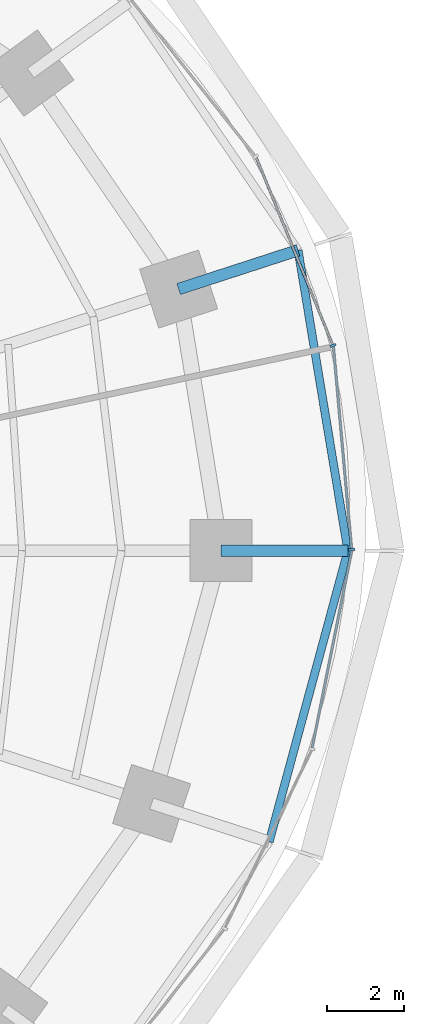
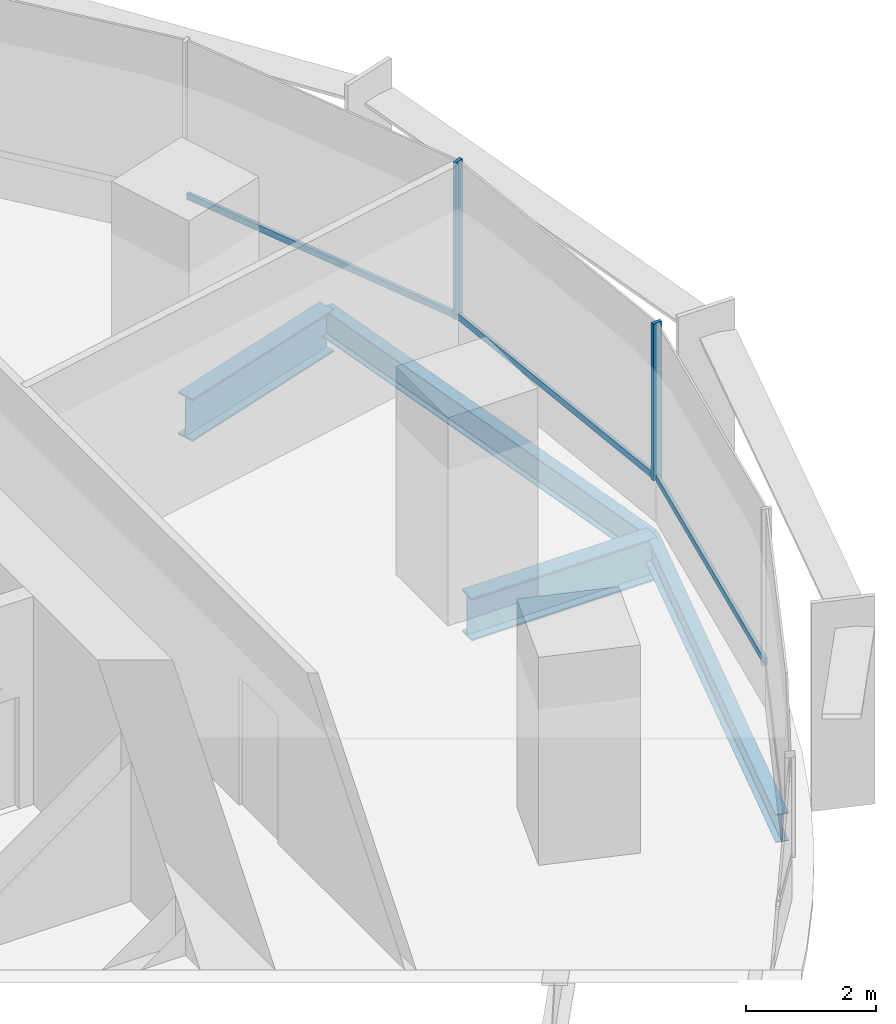
# One storey, part 6 of 14: 5 members, 4 beams, 2 elements without a shape of their own.
"""IFC4 building model written with IfcOpenShell, lengths in metres."""

from ifc_helpers import new_model, si_unit, direction, frame, origin, origin_2d, place, context, subcontext, project, spatial, rectangle, i_section, extrude, material, material_profile, profile_set, type_object, element, aggregate, save


model = new_model("IFC4")

# Units and contexts
model_context = context("Model", 3, precision=1e-05, world=origin(), true_north=direction((0.0, 1.0)))
body_context = subcontext(model_context, "Body", "Model", "MODEL_VIEW")
ifc_project = project(units=[si_unit("LENGTHUNIT", "METRE"), si_unit("AREAUNIT", "SQUARE_METRE"), si_unit("VOLUMEUNIT", "CUBIC_METRE"), si_unit("PLANEANGLEUNIT", "RADIAN"), si_unit("MASSUNIT", "GRAM", prefix="KILO")], contexts=[model_context])

# Site, building, storey
site_placement = place(None, origin())
site = spatial("IfcSite", under=ifc_project, at=site_placement, CompositionType="ELEMENT")
building_placement = place(site_placement, origin())
building = spatial("IfcBuilding", under=site, at=building_placement, Name="Marramba Exchange Tower", CompositionType="ELEMENT")
storey_placement = place(building_placement, frame((0.0, 0.0, 108.0)))
storey = spatial("IfcBuildingStorey", under=building, at=storey_placement, Name="L25", CompositionType="ELEMENT", Elevation=108.0)

# Beams
ifc_material_1 = material(Name="Steel AS/NZS 3679.2 grade 300", Category="steel")
ifc_material_profile_1 = material_profile(ifc_material_1, i_section(OverallWidth=0.300048828125, OverallDepth=0.800048828125, WebThickness=0.013916015625, FlangeThickness=0.031982421875, at=origin_2d()), Name="800WB192")
ifc_profile_set_1 = profile_set([ifc_material_profile_1], Name="Steel AS/NZS 3679.2 grade 300")
beam_type_1 = type_object("IfcBeamType", Name="Cantilever girder 800WB192", PredefinedType="BEAM", material=ifc_profile_set_1)
beam_1_placement = place(storey_placement, frame((21.89990234375, 0.0, -0.56005859375), z_axis=(1.0, 0.0, 0.0), x_axis=(0.0, 1.0, 0.0)))
element("IfcBeam", 1, at=beam_1_placement, inside=storey, type_object=beam_type_1, Name="Cantilever girder L25 TC01", PredefinedType="BEAM", context=body_context, shape_type="SweptSolid", body=[
    extrude(i_section(OverallWidth=0.300048828125, OverallDepth=0.800048828125, WebThickness=0.013916015625, FlangeThickness=0.031982421875, at=origin_2d()), origin(), (0.0, 0.0, 1.0), 3.281982421875),
])
beam_2_placement = place(storey_placement, frame((20.808349609375, 6.760986328125, -0.56005859375), z_axis=(0.95105562578, 0.309019735087, 0.0), x_axis=(-0.309019735087, 0.95105562578, 0.0)))
element("IfcBeam", 2, at=beam_2_placement, inside=storey, type_object=beam_type_1, Name="Cantilever girder L25 TC02", PredefinedType="BEAM", context=body_context, shape_type="SweptSolid", body=[
    extrude(i_section(OverallWidth=0.300048828125, OverallDepth=0.800048828125, WebThickness=0.013916015625, FlangeThickness=0.031982421875, at=origin_2d()), origin(), (0.0, 0.0, 1.0), 3.24560546875),
])

# Curtain wall, members
ifc_material_2 = material(Name="Aluminium framing, bronze anodised", Category="aluminium")
curtain_wall_type = type_object("IfcCurtainWallType", Name="Office ribbon curtain wall", PredefinedType="USERDEFINED", material=ifc_material_2)
curtain_wall_1_placement = place(storey_placement, origin())
curtain_wall_1 = element("IfcCurtainWall", 3, at=curtain_wall_1_placement, inside=storey, type_object=curtain_wall_type, Name="Curtain wall CW4 L25 F01-F05", ObjectType="RIBBON CURTAIN WALL", PredefinedType="USERDEFINED")
ifc_material_3 = material(Name="Aluminium mullion, bronze anodised", Category="aluminium")
ifc_material_profile_2 = material_profile(ifc_material_3, rectangle(XDim=0.159912109375, YDim=0.06005859375, at=origin_2d()), Name="CW4 mullion 60x160")
ifc_profile_set_2 = profile_set([ifc_material_profile_2], Name="Aluminium mullion, bronze anodised")
member_type_1 = type_object("IfcMemberType", Name="Office ribbon curtain wall mullion", PredefinedType="MULLION", material=ifc_profile_set_2)
member_1_placement = place(storey_placement, frame((25.279296875, 0.02978515625, 0.800048828125), z_axis=(0.0, 0.0, 1.0), x_axis=(-0.995994646311, -0.089412887889, 0.0)))
member_1 = element("IfcMember", 4, at=member_1_placement, type_object=member_type_1, Name="CW4 mullion 1", PredefinedType="MULLION", context=body_context, shape_type="SweptSolid", body=[
    extrude(rectangle(XDim=0.159912109375, YDim=0.06005859375, at=origin_2d()), origin(), (0.0, 0.0, 1.0), 2.93994140625),
])
member_2_placement = place(storey_placement, frame((24.79736328125, 5.301025390625, 0.800048828125), z_axis=(0.0, 0.0, 1.0), x_axis=(-0.925878584668, -0.377821183171, 0.0)))
member_2 = element("IfcMember", 5, at=member_2_placement, type_object=member_type_1, Name="CW4 mullion 1", PredefinedType="MULLION", context=body_context, shape_type="SweptSolid", body=[
    extrude(rectangle(XDim=0.159912109375, YDim=0.06005859375, at=origin_2d()), origin(), (0.0, 0.0, 1.0), 2.93994140625),
])
ifc_material_4 = material(Name="Aluminium transom, bronze anodised", Category="aluminium")
ifc_material_profile_3 = material_profile(ifc_material_4, rectangle(XDim=0.06005859375, YDim=0.1201171875, at=origin_2d()), Name="CW4 transom 60x120")
ifc_profile_set_3 = profile_set([ifc_material_profile_3], Name="Aluminium transom, bronze anodised")
member_type_2 = type_object("IfcMemberType", Name="Office ribbon curtain wall transom", PredefinedType="USERDEFINED", material=ifc_profile_set_3)
member_3_placement = place(storey_placement, frame((25.276611328125, 0.059814453125, 0.830078125), z_axis=(-0.089412838135, 0.995994650777, 0.0), x_axis=(-0.995994650777, -0.089412838135, 0.0)))
member_3 = element("IfcMember", 6, at=member_3_placement, type_object=member_type_2, Name="CW4 sill transom", ObjectType="TRANSOM", PredefinedType="USERDEFINED", context=body_context, shape_type="SweptSolid", body=[
    extrude(rectangle(XDim=0.06005859375, YDim=0.1201171875, at=origin_2d()), origin(), (0.0, 0.0, 1.0), 5.234375),
])
member_4_placement = place(storey_placement, frame((24.785888671875, 5.328857421875, 0.830078125), z_axis=(-0.377838039034, 0.925871706155, 0.0), x_axis=(-0.925871706155, -0.377838039034, 0.0)))
member_4 = element("IfcMember", 7, at=member_4_placement, type_object=member_type_2, Name="CW4 sill transom", ObjectType="TRANSOM", PredefinedType="USERDEFINED", context=body_context, shape_type="SweptSolid", body=[
    extrude(rectangle(XDim=0.06005859375, YDim=0.1201171875, at=origin_2d()), origin(), (0.0, 0.0, 1.0), 5.2158203125),
])
aggregate(curtain_wall_1, [member_1, member_3, member_2, member_4])

# Curtain wall, member
curtain_wall_2_placement = place(storey_placement, origin())
curtain_wall_2 = element("IfcCurtainWall", 8, at=curtain_wall_2_placement, inside=storey, type_object=curtain_wall_type, Name="Curtain wall CW4 L25 F26-F30", ObjectType="RIBBON CURTAIN WALL", PredefinedType="USERDEFINED")
member_5_placement = place(storey_placement, frame((24.258056640625, -5.094970703125, 0.830078125), z_axis=(0.197028520451, 0.980397757101, 0.0), x_axis=(-0.980397757101, 0.197028520451, 0.0)))
member_5 = element("IfcMember", 9, at=member_5_placement, type_object=member_type_2, Name="CW4 sill transom", ObjectType="TRANSOM", PredefinedType="USERDEFINED", context=body_context, shape_type="SweptSolid", body=[
    extrude(rectangle(XDim=0.06005859375, YDim=0.1201171875, at=origin_2d()), origin(), (0.0, 0.0, 1.0), 5.19677734375),
])
aggregate(curtain_wall_2, [member_5])

# Beams
ifc_material_5 = material(Name="Steel AS/NZS 3679.1 grade 300", Category="steel")
ifc_material_profile_4 = material_profile(ifc_material_5, i_section(OverallWidth=0.208984375, OverallDepth=0.528076171875, WebThickness=0.009521484375, FlangeThickness=0.01318359375, FilletRadius=0.013916015625, at=origin_2d()), Name="530UB82.0")
ifc_profile_set_4 = profile_set([ifc_material_profile_4], Name="Steel AS/NZS 3679.1 grade 300")
beam_type_2 = type_object("IfcBeamType", Name="Slab edge beam 530UB82.0", PredefinedType="SPANDREL", material=ifc_profile_set_4)
beam_3_placement = place(storey_placement, frame((25.181884765625, 0.0, -0.424072265625), z_axis=(-0.163518559175, 0.986540258076, 0.0), x_axis=(-0.986540258076, -0.163518559175, 0.0)))
element("IfcBeam", 10, at=beam_3_placement, inside=storey, type_object=beam_type_2, Name="Slab edge beam L25 TC01-TC02", PredefinedType="SPANDREL", context=body_context, shape_type="SweptSolid", body=[
    extrude(i_section(OverallWidth=0.208984375, OverallDepth=0.528076171875, WebThickness=0.009521484375, FlangeThickness=0.01318359375, FilletRadius=0.013916015625, at=origin_2d()), origin(), (0.0, 0.0, 1.0), 7.869873046875),
])
beam_4_placement = place(storey_placement, frame((23.148681640625, -7.521484375, -0.424072265625), z_axis=(0.260953221575, 0.965351446961, 0.0), x_axis=(-0.965351446961, 0.260953221575, 0.0)))
element("IfcBeam", 11, at=beam_4_placement, inside=storey, type_object=beam_type_2, Name="Slab edge beam L25 TC20-TC01", PredefinedType="SPANDREL", context=body_context, shape_type="SweptSolid", body=[
    extrude(i_section(OverallWidth=0.208984375, OverallDepth=0.528076171875, WebThickness=0.009521484375, FlangeThickness=0.01318359375, FilletRadius=0.013916015625, at=origin_2d()), origin(), (0.0, 0.0, 1.0), 7.79150390625),
])

save(model, "model.ifc")
